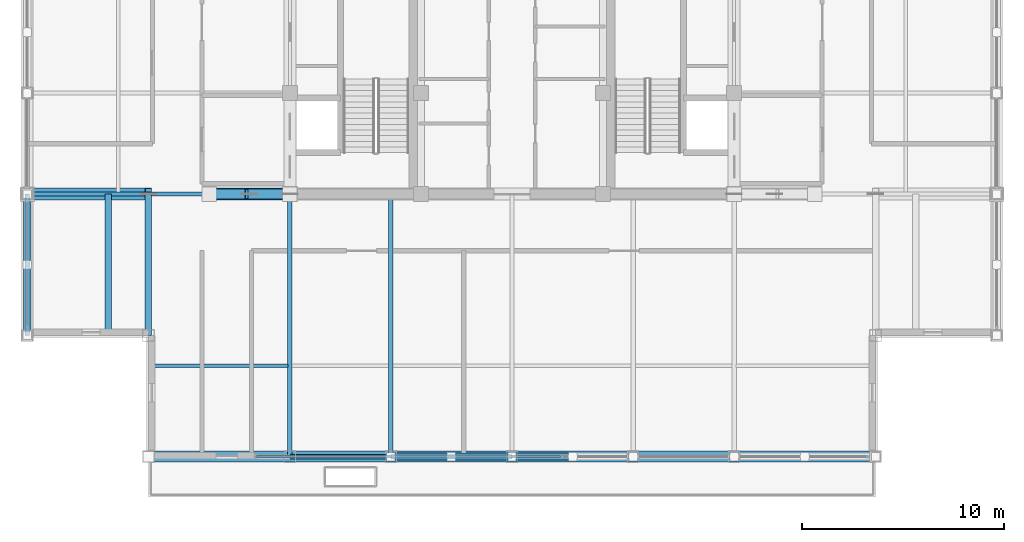
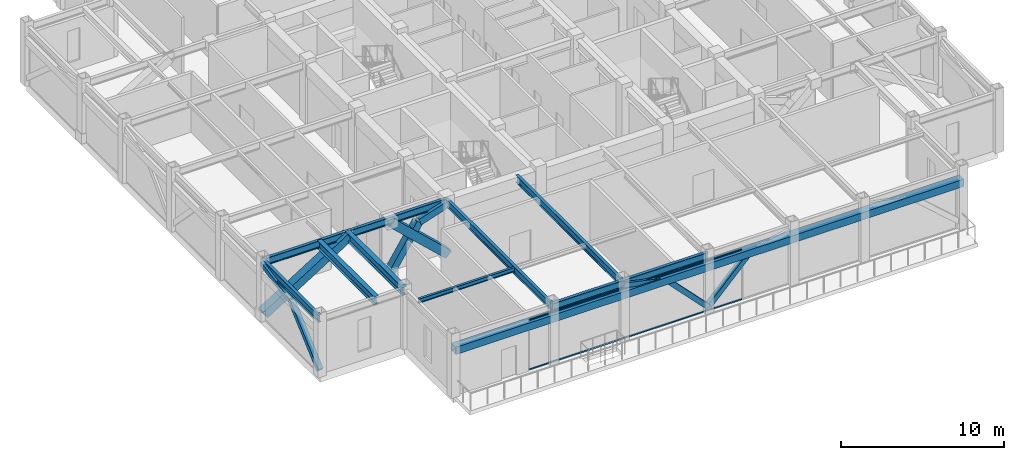
# One storey, part 3 of 32: 12 members, 9 beams, 1 element without a shape of its own.
"""IFC4 building model written with IfcOpenShell, lengths in metres."""

from ifc_helpers import new_model, si_unit, direction, frame, origin, origin_2d, place, context, subcontext, project, spatial, hollow_rectangle, i_section, extrude, source, transform, mapped, material, material_profile, profile_set, type_object, element, aggregate, save


model = new_model("IFC4")

# Units and contexts
model_context = context("Model", 3, precision=1e-05, world=origin(), true_north=direction((0.0, 1.0)))
body_context = subcontext(model_context, "Body", "Model", "MODEL_VIEW")
ifc_project = project(units=[si_unit("LENGTHUNIT", "METRE"), si_unit("AREAUNIT", "SQUARE_METRE"), si_unit("VOLUMEUNIT", "CUBIC_METRE"), si_unit("PLANEANGLEUNIT", "RADIAN"), si_unit("MASSUNIT", "GRAM", prefix="KILO")], contexts=[model_context])

# Site, building, storey
site_placement = place(None, origin())
site = spatial("IfcSite", under=ifc_project, at=site_placement, CompositionType="ELEMENT")
building_placement = place(site_placement, origin())
building = spatial("IfcBuilding", under=site, at=building_placement, Name="Khorayat Bourse Tower", CompositionType="ELEMENT")
storey_placement = place(building_placement, frame((0.0, 0.0, 375.5)))
storey = spatial("IfcBuildingStorey", under=building, at=storey_placement, Name="L89", CompositionType="ELEMENT", Elevation=375.5)

# Member
ifc_material_1 = material(Name="Steel EN 10025-4 S460M", Category="steel")
ifc_material_profile_1 = material_profile(ifc_material_1, hollow_rectangle(XDim=0.5, YDim=0.5, WallThickness=0.028076171875, at=origin_2d()), Name="HSS 500x500x28")
ifc_profile_set_1 = profile_set([ifc_material_profile_1], Name="Steel EN 10025-4 S460M")
member_type_1 = type_object("IfcMemberType", Name="MBR-TRUSS-500", PredefinedType="CHORD", material=ifc_profile_set_1)
shared_shape_1 = source(origin(), body_context, "Body", "SweptSolid", [
    extrude(hollow_rectangle(XDim=0.5, YDim=0.5, WallThickness=0.028076171875, at=origin_2d()), origin(), (0.0, 0.0, 1.0), 3.68896484375),
])
member_1_placement = place(storey_placement, frame((-13.0, -11.0, 3.449951171875), z_axis=(-0.542144958519, 0.0, -0.840284977822), x_axis=(0.0, -1.0, 0.0)))
element("IfcMember", 1, at=member_1_placement, inside=storey, type_object=member_type_1, Name="L89 Plant Belt Web Diagonal 02", PredefinedType="CHORD", context=body_context, shape_type="MappedRepresentation", body=[
    mapped(shared_shape_1, transform((0.0, 0.0, 0.0), scale=1.0)),
])

# Beams
ifc_material_2 = material(Name="Steel ASTM A992 Grade 50", Category="steel")
ifc_material_profile_2 = material_profile(ifc_material_2, i_section(OverallWidth=0.214111328125, OverallDepth=0.549072265625, WebThickness=0.0146484375, FlangeThickness=0.023681640625, FilletRadius=0.013916015625, at=origin_2d()), Name="W530X138")
ifc_profile_set_2 = profile_set([ifc_material_profile_2], Name="Steel ASTM A992 Grade 50")
beam_type_1 = type_object("IfcBeamType", Name="BM-SPAN-530", PredefinedType="SPANDREL", material=ifc_profile_set_2)
shared_shape_2 = source(origin(), body_context, "Body", "SweptSolid", [
    extrude(i_section(OverallWidth=0.214111328125, OverallDepth=0.549072265625, WebThickness=0.0146484375, FlangeThickness=0.023681640625, FilletRadius=0.013916015625, at=origin_2d()), origin(), (0.0, 0.0, 1.0), 5.0),
])
beam_1_placement = place(storey_placement, frame((-11.0, -24.0, 4.175537109375), z_axis=(1.0, 0.0, 0.0), x_axis=(0.0, 1.0, 0.0)))
element("IfcBeam", 2, at=beam_1_placement, inside=storey, type_object=beam_type_1, Name="L89 BM-SPAN-530 BM-L89-SPN-025", PredefinedType="SPANDREL", context=body_context, shape_type="MappedRepresentation", body=[
    mapped(shared_shape_2, transform((0.0, 0.0, 0.0), scale=1.0)),
])
shared_shape_3 = source(origin(), body_context, "Body", "SweptSolid", [
    extrude(i_section(OverallWidth=0.214111328125, OverallDepth=0.549072265625, WebThickness=0.0146484375, FlangeThickness=0.023681640625, FilletRadius=0.013916015625, at=origin_2d()), origin(), (0.0, 0.0, 1.0), 6.0),
])
beam_2_placement = place(storey_placement, frame((-6.0, -24.0, 4.175537109375), z_axis=(1.0, 0.0, 0.0), x_axis=(0.0, 1.0, 0.0)))
element("IfcBeam", 3, at=beam_2_placement, inside=storey, type_object=beam_type_1, Name="L89 BM-SPAN-530 BM-L89-SPN-026", PredefinedType="SPANDREL", context=body_context, shape_type="MappedRepresentation", body=[
    mapped(shared_shape_3, transform((0.0, 0.0, 0.0), scale=1.0)),
])
shared_shape_4 = source(origin(), body_context, "Body", "SweptSolid", [
    extrude(i_section(OverallWidth=0.214111328125, OverallDepth=0.549072265625, WebThickness=0.0146484375, FlangeThickness=0.023681640625, FilletRadius=0.013916015625, at=origin_2d()), origin(), (0.0, 0.0, 1.0), 7.0),
])
beam_3_placement = place(storey_placement, frame((-24.0, -18.0, 4.175537109375), z_axis=(0.0, 1.0, 0.0), x_axis=(-1.0, 0.0, 0.0)))
element("IfcBeam", 4, at=beam_3_placement, inside=storey, type_object=beam_type_1, Name="L89 BM-SPAN-530 BM-L89-SPN-053", PredefinedType="SPANDREL", context=body_context, shape_type="MappedRepresentation", body=[
    mapped(shared_shape_4, transform((0.0, 0.0, 0.0), scale=1.0)),
])
ifc_material_profile_3 = material_profile(ifc_material_2, i_section(OverallWidth=0.214111328125, OverallDepth=0.549072265625, WebThickness=0.0146484375, FlangeThickness=0.023681640625, FilletRadius=0.013916015625, at=origin_2d()), Name="W530X138")
ifc_profile_set_3 = profile_set([ifc_material_profile_3], Name="Steel ASTM A992 Grade 50")
beam_type_2 = type_object("IfcBeamType", Name="BM-GIRD-530", PredefinedType="BEAM", material=ifc_profile_set_3)
shared_shape_5 = source(origin(), body_context, "Body", "SweptSolid", [
    extrude(i_section(OverallWidth=0.214111328125, OverallDepth=0.549072265625, WebThickness=0.0146484375, FlangeThickness=0.023681640625, FilletRadius=0.013916015625, at=origin_2d()), origin(), (0.0, 0.0, 1.0), 13.0),
])
for number, where, z_axis, x_axis, name in (
    (5, (-11.0, -24.0, 4.175537109375), (0.0, 1.0, 0.0), (-1.0, 0.0, 0.0), "L89 BM-GIRD-530 BM-L89-RADY-057"),
    (6, (-6.0, -24.0, 4.175537109375), (0.0, 1.0, 0.0), (-1.0, 0.0, 0.0), "L89 BM-GIRD-530 BM-L89-RADY-059"),
    (7, (-24.0, -11.0, 4.175537109375), (1.0, 0.0, 0.0), (0.0, 1.0, 0.0), "L89 BM-GIRD-530 BM-L89-RADX-067"),
):
    element("IfcBeam", number, at=place(storey_placement, frame(where, z_axis=z_axis, x_axis=x_axis)), inside=storey, type_object=beam_type_2, Name=name, PredefinedType="BEAM", context=body_context, shape_type="MappedRepresentation", body=[
        mapped(shared_shape_5, transform((0.0, 0.0, 0.0), scale=1.0)),
    ])
ifc_material_profile_4 = material_profile(ifc_material_2, i_section(OverallWidth=0.324951171875, OverallDepth=0.615966796875, WebThickness=0.013916015625, FlangeThickness=0.021484375, FilletRadius=0.01611328125, at=origin_2d()), Name="W610X174")
ifc_profile_set_4 = profile_set([ifc_material_profile_4], Name="Steel ASTM A992 Grade 50")
beam_type_3 = type_object("IfcBeamType", Name="BM-GIRD-610", PredefinedType="BEAM", material=ifc_profile_set_4)
shared_shape_6 = source(origin(), body_context, "Body", "SweptSolid", [
    extrude(i_section(OverallWidth=0.324951171875, OverallDepth=0.615966796875, WebThickness=0.013916015625, FlangeThickness=0.021484375, FilletRadius=0.01611328125, at=origin_2d()), origin(), (0.0, 0.0, 1.0), 7.0),
])
for number, where, z_axis, x_axis, name in (
    (8, (-18.0, -18.0, 4.14208984375), (0.0, 1.0, 0.0), (-1.0, 0.0, 0.0), "L89 BM-GIRD-610 BM-L89-CNRY-076"),
    (9, (-20.0, -18.0, 4.14208984375), (0.0, 1.0, 0.0), (-1.0, 0.0, 0.0), "L89 BM-GIRD-610 BM-L89-CNRY-080"),
):
    element("IfcBeam", number, at=place(storey_placement, frame(where, z_axis=z_axis, x_axis=x_axis)), inside=storey, type_object=beam_type_3, Name=name, PredefinedType="BEAM", context=body_context, shape_type="MappedRepresentation", body=[
        mapped(shared_shape_6, transform((0.0, 0.0, 0.0), scale=1.0)),
    ])
ifc_material_profile_5 = material_profile(ifc_material_2, i_section(OverallWidth=0.1669921875, OverallDepth=0.31689453125, WebThickness=0.007568359375, FlangeThickness=0.01318359375, FilletRadius=0.010009765625, at=origin_2d()), Name="W310X52")
ifc_profile_set_5 = profile_set([ifc_material_profile_5], Name="Steel ASTM A992 Grade 50")
beam_type_4 = type_object("IfcBeamType", Name="BM-JOIST-310", PredefinedType="JOIST", material=ifc_profile_set_5)
shared_shape_7 = source(origin(), body_context, "Body", "SweptSolid", [
    extrude(i_section(OverallWidth=0.1669921875, OverallDepth=0.31689453125, WebThickness=0.007568359375, FlangeThickness=0.01318359375, FilletRadius=0.010009765625, at=origin_2d()), origin(), (0.0, 0.0, 1.0), 6.81005859375),
])
beam_4_placement = place(storey_placement, frame((-17.905029296875, -19.5, 4.29150390625), z_axis=(1.0, 0.0, 0.0), x_axis=(0.0, 1.0, 0.0)))
element("IfcBeam", 10, at=beam_4_placement, inside=storey, type_object=beam_type_4, Name="L89 BM-JOIST-310 BM-L89-JSTX-084", PredefinedType="JOIST", context=body_context, shape_type="MappedRepresentation", body=[
    mapped(shared_shape_7, transform((0.0, 0.0, 0.0), scale=1.0)),
])

# Members
ifc_material_profile_6 = material_profile(ifc_material_1, hollow_rectangle(XDim=0.60009765625, YDim=0.60009765625, WallThickness=0.034912109375, at=origin_2d()), Name="BOX 600x600x35")
ifc_profile_set_6 = profile_set([ifc_material_profile_6], Name="Steel EN 10025-4 S460M")
member_type_2 = type_object("IfcMemberType", Name="MBR-OUTRIG-600", PredefinedType="BRACE", material=ifc_profile_set_6)
shared_shape_8 = source(origin(), body_context, "Body", "SweptSolid", [
    extrude(hollow_rectangle(XDim=0.60009765625, YDim=0.60009765625, WallThickness=0.034912109375, at=origin_2d()), origin(), (0.0, 0.0, 1.0), 5.48291015625),
])
member_2_placement = place(storey_placement, frame((-11.0, -11.0, 0.35009765625), z_axis=(-0.72953720414, 0.0, 0.683941128881), x_axis=(0.0, -1.0, 0.0)))
element("IfcMember", 11, at=member_2_placement, inside=storey, type_object=member_type_2, Name="L89 Outrigger Truss Diagonal 01", PredefinedType="BRACE", context=body_context, shape_type="MappedRepresentation", body=[
    mapped(shared_shape_8, transform((0.0, 0.0, 0.0), scale=1.0)),
])
shared_shape_9 = source(origin(), body_context, "Body", "SweptSolid", [
    extrude(hollow_rectangle(XDim=0.60009765625, YDim=0.60009765625, WallThickness=0.034912109375, at=origin_2d()), origin(), (0.0, 0.0, 1.0), 7.075439453125),
])
member_3_placement = place(storey_placement, frame((-18.0, -11.0, 4.10009765625), z_axis=(-0.847998304005, 0.0, -0.529998940003), x_axis=(0.0, -1.0, 0.0)))
element("IfcMember", 12, at=member_3_placement, inside=storey, type_object=member_type_2, Name="L89 Outrigger Truss Diagonal 02", PredefinedType="BRACE", context=body_context, shape_type="MappedRepresentation", body=[
    mapped(shared_shape_9, transform((0.0, 0.0, 0.0), scale=1.0)),
])
shared_shape_10 = source(origin(), body_context, "Body", "SweptSolid", [
    extrude(hollow_rectangle(XDim=0.5, YDim=0.5, WallThickness=0.028076171875, at=origin_2d()), origin(), (0.0, 0.0, 1.0), 2.10302734375),
])
member_4_placement = place(storey_placement, frame((-11.0, -11.0, 4.10009765625), z_axis=(-0.951013591662, 0.0, -0.309149071606), x_axis=(0.0, -1.0, 0.0)))
element("IfcMember", 13, at=member_4_placement, inside=storey, type_object=member_type_1, Name="L89 Plant Belt Web Diagonal 01", PredefinedType="CHORD", context=body_context, shape_type="MappedRepresentation", body=[
    mapped(shared_shape_10, transform((0.0, 0.0, 0.0), scale=1.0)),
])
ifc_material_profile_7 = material_profile(ifc_material_1, hollow_rectangle(XDim=0.550048828125, YDim=0.550048828125, WallThickness=0.031982421875, at=origin_2d()), Name="HSS 550x550x32")
ifc_profile_set_7 = profile_set([ifc_material_profile_7], Name="Steel EN 10025-4 S460M")
member_type_3 = type_object("IfcMemberType", Name="MBR-BELT-550", PredefinedType="CHORD", material=ifc_profile_set_7)
shared_shape_11 = source(origin(), body_context, "Body", "SweptSolid", [
    extrude(hollow_rectangle(XDim=0.550048828125, YDim=0.550048828125, WallThickness=0.031982421875, at=origin_2d()), origin(), (0.0, 0.0, 1.0), 36.0),
])
member_5_placement = place(storey_placement, frame((-18.0, -24.0, 3.449951171875), z_axis=(1.0, 0.0, 0.0), x_axis=(0.0, 1.0, 0.0)))
element("IfcMember", 14, at=member_5_placement, inside=storey, type_object=member_type_3, Name="L89 Belt Truss Mid Chord 01", PredefinedType="CHORD", context=body_context, shape_type="MappedRepresentation", body=[
    mapped(shared_shape_11, transform((0.0, 0.0, 0.0), scale=1.0)),
])
ifc_material_3 = material(Name="Steel EN 10025-2 S355J2", Category="steel")
ifc_material_profile_8 = material_profile(ifc_material_3, hollow_rectangle(XDim=0.35009765625, YDim=0.35009765625, WallThickness=0.02001953125, at=origin_2d()), Name="HSS 350x350x20")
ifc_profile_set_8 = profile_set([ifc_material_profile_8], Name="Steel EN 10025-2 S355J2")
member_type_4 = type_object("IfcMemberType", Name="MBR-CROWN-350", PredefinedType="USERDEFINED", material=ifc_profile_set_8)
shared_shape_12 = source(origin(), body_context, "Body", "SweptSolid", [
    extrude(hollow_rectangle(XDim=0.35009765625, YDim=0.35009765625, WallThickness=0.02001953125, at=origin_2d()), origin(), (0.0, 0.0, 1.0), 3.069580078125),
])
member_6_placement = place(storey_placement, frame((-6.0, -24.0, 4.10009765625), z_axis=(0.977313263163, 0.0, -0.211798927393), x_axis=(0.0, 1.0, 0.0)))
element("IfcMember", 15, at=member_6_placement, inside=storey, type_object=member_type_4, Name="L89 Lantern Crown Frame Member 01", ObjectType="CROWN FRAME", PredefinedType="USERDEFINED", context=body_context, shape_type="MappedRepresentation", body=[
    mapped(shared_shape_12, transform((0.0, 0.0, 0.0), scale=1.0)),
])
shared_shape_13 = source(origin(), body_context, "Body", "SweptSolid", [
    extrude(hollow_rectangle(XDim=0.35009765625, YDim=0.35009765625, WallThickness=0.02001953125, at=origin_2d()), origin(), (0.0, 0.0, 1.0), 4.313720703125),
])
for number, where, z_axis, x_axis, name in (
    (16, (-3.0, -24.0, 3.449951171875), (0.695438396675, 0.0, -0.718585719612), (0.0, 1.0, 0.0), "L89 Lantern Crown Frame Member 02"),
    (17, (0.0, -24.0, 0.35009765625), (0.695438396675, 0.0, 0.718585719612), (0.0, 1.0, 0.0), "L89 Lantern Crown Frame Member 03"),
):
    element("IfcMember", number, at=place(storey_placement, frame(where, z_axis=z_axis, x_axis=x_axis)), inside=storey, type_object=member_type_4, Name=name, ObjectType="CROWN FRAME", PredefinedType="USERDEFINED", context=body_context, shape_type="MappedRepresentation", body=[
        mapped(shared_shape_13, transform((0.0, 0.0, 0.0), scale=1.0)),
    ])
shared_shape_14 = source(origin(), body_context, "Body", "SweptSolid", [
    extrude(hollow_rectangle(XDim=0.35009765625, YDim=0.35009765625, WallThickness=0.02001953125, at=origin_2d()), origin(), (0.0, 0.0, 1.0), 3.559814453125),
])
member_7_placement = place(storey_placement, frame((-24.0, -14.5, 3.449951171875), z_axis=(0.0, 0.983181348138, 0.18263197057), x_axis=(-1.0, 0.0, 0.0)))
element("IfcMember", 18, at=member_7_placement, inside=storey, type_object=member_type_4, Name="L89 Lantern Crown Frame Member 14", ObjectType="CROWN FRAME", PredefinedType="USERDEFINED", context=body_context, shape_type="MappedRepresentation", body=[
    mapped(shared_shape_14, transform((0.0, 0.0, 0.0), scale=1.0)),
])
shared_shape_15 = source(origin(), body_context, "Body", "SweptSolid", [
    extrude(hollow_rectangle(XDim=0.35009765625, YDim=0.35009765625, WallThickness=0.02001953125, at=origin_2d()), origin(), (0.0, 0.0, 1.0), 4.67529296875),
])
member_8_placement = place(storey_placement, frame((-24.0, -18.0, 0.35009765625), z_axis=(0.0, 0.748603730842, 0.663017687675), x_axis=(-1.0, 0.0, 0.0)))
element("IfcMember", 19, at=member_8_placement, inside=storey, type_object=member_type_4, Name="L89 Lantern Crown Frame Member 13", ObjectType="CROWN FRAME", PredefinedType="USERDEFINED", context=body_context, shape_type="MappedRepresentation", body=[
    mapped(shared_shape_15, transform((0.0, 0.0, 0.0), scale=1.0)),
])

# Curtain wall, members
ifc_material_4 = material(Name="Aluminium EN AW-6063 T6", Category="aluminium")
curtain_wall_type = type_object("IfcCurtainWallType", Name="CW-SYS-07", PredefinedType="NOTDEFINED", material=ifc_material_4)
curtain_wall_placement = place(storey_placement, origin())
curtain_wall = element("IfcCurtainWall", 20, at=curtain_wall_placement, inside=storey, type_object=curtain_wall_type, Name="L89 Curtain Wall CW-L89-S2", PredefinedType="NOTDEFINED")
ifc_material_profile_9 = material_profile(ifc_material_4, hollow_rectangle(XDim=0.090087890625, YDim=0.090087890625, WallThickness=0.00390625, at=origin_2d()), Name="ALU 90x90x4")
ifc_profile_set_9 = profile_set([ifc_material_profile_9], Name="Aluminium EN AW-6063 T6")
member_type_5 = type_object("IfcMemberType", Name="CWT-HORZ-90", PredefinedType="USERDEFINED", material=ifc_profile_set_9)
shared_shape_16 = source(origin(), body_context, "Body", "SweptSolid", [
    extrude(hollow_rectangle(XDim=0.090087890625, YDim=0.090087890625, WallThickness=0.00390625, at=origin_2d()), origin(), (0.0, 0.0, 1.0), 15.0498046875),
])
member_9_placement = place(storey_placement, frame((-12.64990234375, -24.0, 0.044921875), z_axis=(1.0, 0.0, 0.0), x_axis=(0.0, 1.0, 0.0)))
member_9 = element("IfcMember", 21, at=member_9_placement, type_object=member_type_5, Name="CW-L89-S2 Horizontal Transom 1-1", ObjectType="TRANSOM", PredefinedType="USERDEFINED", context=body_context, shape_type="MappedRepresentation", body=[
    mapped(shared_shape_16, transform((0.0, 0.0, 0.0), scale=1.0)),
])
member_10_placement = place(storey_placement, frame((-12.64990234375, -24.0, 3.7548828125), z_axis=(1.0, 0.0, 0.0), x_axis=(0.0, 1.0, 0.0)))
member_10 = element("IfcMember", 22, at=member_10_placement, type_object=member_type_5, Name="CW-L89-S2 Horizontal Transom 1-2", ObjectType="TRANSOM", PredefinedType="USERDEFINED", context=body_context, shape_type="MappedRepresentation", body=[
    mapped(shared_shape_16, transform((0.0, 0.0, 0.0), scale=1.0)),
])
aggregate(curtain_wall, [member_9, member_10])

save(model, "model.ifc")
